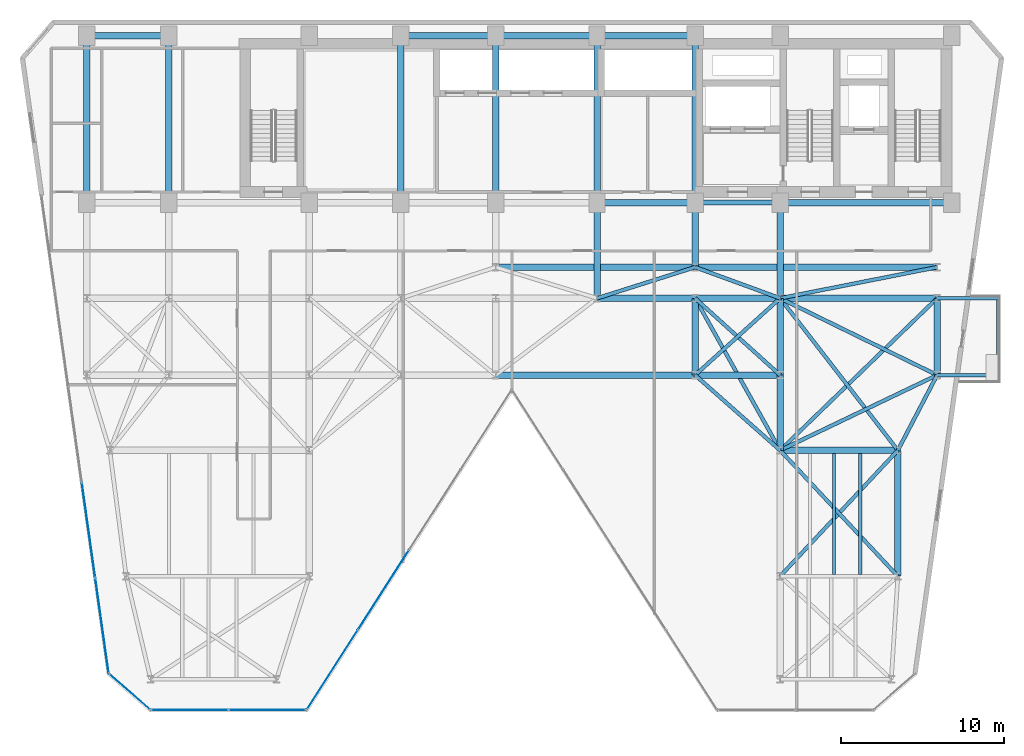
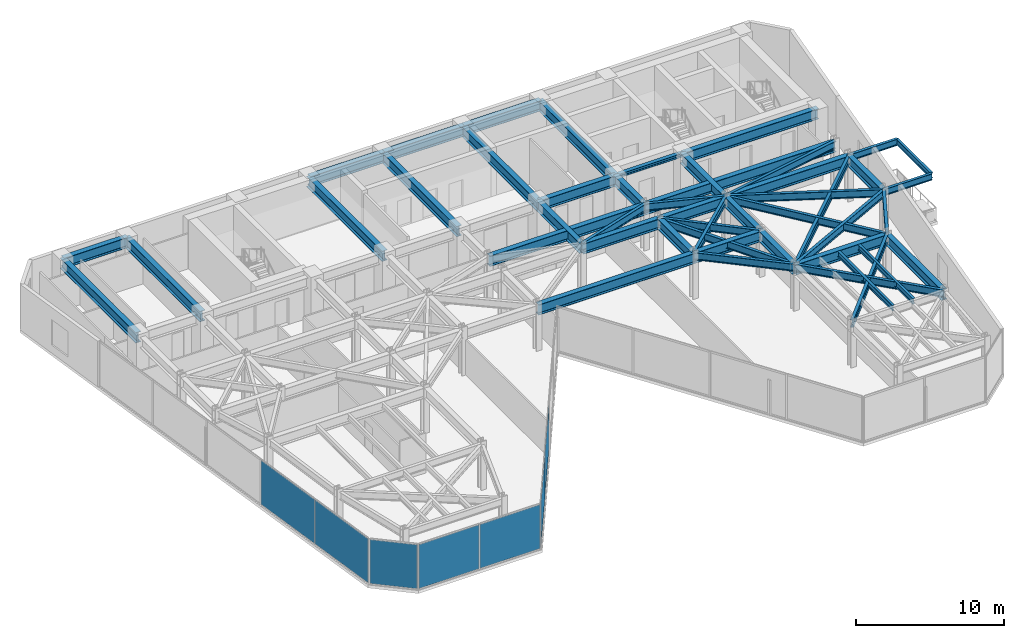
# One storey, part 20 of 26: 48 beams, 7 plates, 4 elements without a shape of their own.
"""IFC4 building model written with IfcOpenShell, lengths in metres."""

from ifc_helpers import new_model, si_unit, direction, frame, origin, origin_2d, place, context, subcontext, project, spatial, rectangle, i_section, extrude, material, layer, layer_set, material_profile, profile_set, type_object, element, aggregate, save


model = new_model("IFC4")

# Units and contexts
model_context = context("Model", 3, precision=1e-05, world=origin(), true_north=direction((0.0, 1.0)))
body_context = subcontext(model_context, "Body", "Model", "MODEL_VIEW")
ifc_project = project(units=[si_unit("LENGTHUNIT", "METRE"), si_unit("AREAUNIT", "SQUARE_METRE"), si_unit("VOLUMEUNIT", "CUBIC_METRE"), si_unit("PLANEANGLEUNIT", "RADIAN"), si_unit("MASSUNIT", "GRAM", prefix="KILO")], contexts=[model_context])

# Site, building, storey
site_placement = place(None, origin())
site = spatial("IfcSite", under=ifc_project, at=site_placement, CompositionType="ELEMENT")
building_placement = place(site_placement, origin())
building = spatial("IfcBuilding", under=site, at=building_placement, Name="Kravanh Interchange Tower", CompositionType="ELEMENT")
storey_placement = place(building_placement, frame((0.0, 0.0, 112.0)))
storey = spatial("IfcBuildingStorey", under=building, at=storey_placement, Name="L26", CompositionType="ELEMENT", Elevation=112.0)

# Beams
ifc_material_1 = material(Name="Structural Steel S355", Category="steel")
ifc_material_profile_1 = material_profile(ifc_material_1, i_section(OverallWidth=0.39990234375, OverallDepth=0.85595703125, WebThickness=0.018310546875, FlangeThickness=0.029296875, FilletRadius=0.02490234375, at=origin_2d()), Name="W33X201")
ifc_profile_set_1 = profile_set([ifc_material_profile_1], Name="Structural Steel S355")
beam_type_1 = type_object("IfcBeamType", Name="Floor Beam W33X201 Structural Steel S355", PredefinedType="BEAM", material=ifc_profile_set_1)
beam_1_placement = place(storey_placement, frame((66.5, 37.35009765625, 3.322021484375), z_axis=(-1.0, 0.0, 0.0), x_axis=(0.0, -1.0, 0.0)))
element("IfcBeam", 1, at=beam_1_placement, inside=storey, type_object=beam_type_1, Name="L26 Primary Floor Girder 5", PredefinedType="BEAM", context=body_context, shape_type="SweptSolid", body=[
    extrude(i_section(OverallWidth=0.39990234375, OverallDepth=0.85595703125, WebThickness=0.018310546875, FlangeThickness=0.029296875, FilletRadius=0.02490234375, at=origin_2d()), origin(), (0.0, 0.0, 1.0), 10.5),
])
beam_2_placement = place(storey_placement, frame((56.0, 37.35009765625, 3.322021484375), z_axis=(0.0, -1.0, 0.0), x_axis=(1.0, 0.0, 0.0)))
element("IfcBeam", 2, at=beam_2_placement, inside=storey, type_object=beam_type_1, Name="L26 Primary Floor Girder 7", PredefinedType="BEAM", context=body_context, shape_type="SweptSolid", body=[
    extrude(i_section(OverallWidth=0.39990234375, OverallDepth=0.85595703125, WebThickness=0.018310546875, FlangeThickness=0.029296875, FilletRadius=0.02490234375, at=origin_2d()), origin(), (0.0, 0.0, 1.0), 5.85009765625),
])
beam_3_placement = place(storey_placement, frame((50.800048828125, 47.550048828125, 3.322021484375), z_axis=(-1.0, 0.0, 0.0), x_axis=(0.0, -1.0, 0.0)))
element("IfcBeam", 3, at=beam_3_placement, inside=storey, type_object=beam_type_1, Name="L26 Primary Floor Girder 8", PredefinedType="BEAM", context=body_context, shape_type="SweptSolid", body=[
    extrude(i_section(OverallWidth=0.39990234375, OverallDepth=0.85595703125, WebThickness=0.018310546875, FlangeThickness=0.029296875, FilletRadius=0.02490234375, at=origin_2d()), origin(), (0.0, 0.0, 1.0), 6.0),
])
beam_4_placement = place(storey_placement, frame((50.800048828125, 47.550048828125, 3.322021484375), z_axis=(0.0, -1.0, 0.0), x_axis=(1.0, 0.0, 0.0)))
element("IfcBeam", 4, at=beam_4_placement, inside=storey, type_object=beam_type_1, Name="L26 Primary Floor Girder 9", PredefinedType="BEAM", context=body_context, shape_type="SweptSolid", body=[
    extrude(i_section(OverallWidth=0.39990234375, OverallDepth=0.85595703125, WebThickness=0.018310546875, FlangeThickness=0.029296875, FilletRadius=0.02490234375, at=origin_2d()), origin(), (0.0, 0.0, 1.0), 10.199951171875),
])
beam_5_placement = place(storey_placement, frame((50.800048828125, 37.35009765625, 3.322021484375), z_axis=(0.0, -1.0, 0.0), x_axis=(1.0, 0.0, 0.0)))
element("IfcBeam", 5, at=beam_5_placement, inside=storey, type_object=beam_type_1, Name="L26 Primary Floor Girder 10", PredefinedType="BEAM", context=body_context, shape_type="SweptSolid", body=[
    extrude(i_section(OverallWidth=0.39990234375, OverallDepth=0.85595703125, WebThickness=0.018310546875, FlangeThickness=0.029296875, FilletRadius=0.02490234375, at=origin_2d()), origin(), (0.0, 0.0, 1.0), 3.9501953125),
])
beam_6_placement = place(storey_placement, frame((50.800048828125, 37.35009765625, 3.322021484375), z_axis=(-1.0, 0.0, 0.0), x_axis=(0.0, -1.0, 0.0)))
element("IfcBeam", 6, at=beam_6_placement, inside=storey, type_object=beam_type_1, Name="L26 Primary Floor Girder 11", PredefinedType="BEAM", context=body_context, shape_type="SweptSolid", body=[
    extrude(i_section(OverallWidth=0.39990234375, OverallDepth=0.85595703125, WebThickness=0.018310546875, FlangeThickness=0.029296875, FilletRadius=0.02490234375, at=origin_2d()), origin(), (0.0, 0.0, 1.0), 6.0),
])
beam_7_placement = place(storey_placement, frame((44.800048828125, 37.35009765625, 3.322021484375), z_axis=(0.0, -1.0, 0.0), x_axis=(1.0, 0.0, 0.0)))
element("IfcBeam", 7, at=beam_7_placement, inside=storey, type_object=beam_type_1, Name="L26 Primary Floor Girder 12", PredefinedType="BEAM", context=body_context, shape_type="SweptSolid", body=[
    extrude(i_section(OverallWidth=0.39990234375, OverallDepth=0.85595703125, WebThickness=0.018310546875, FlangeThickness=0.029296875, FilletRadius=0.02490234375, at=origin_2d()), origin(), (0.0, 0.0, 1.0), 5.85009765625),
])
beam_8_placement = place(storey_placement, frame((44.800048828125, 37.35009765625, 3.322021484375), z_axis=(0.0, 1.0, 0.0), x_axis=(-1.0, 0.0, 0.0)))
element("IfcBeam", 8, at=beam_8_placement, inside=storey, type_object=beam_type_1, Name="L26 Primary Floor Girder 14", PredefinedType="BEAM", context=body_context, shape_type="SweptSolid", body=[
    extrude(i_section(OverallWidth=0.39990234375, OverallDepth=0.85595703125, WebThickness=0.018310546875, FlangeThickness=0.029296875, FilletRadius=0.02490234375, at=origin_2d()), origin(), (0.0, 0.0, 1.0), 10.199951171875),
])
beam_9_placement = place(storey_placement, frame((44.800048828125, 47.550048828125, 3.322021484375), z_axis=(-1.0, 0.0, 0.0), x_axis=(0.0, -1.0, 0.0)))
element("IfcBeam", 9, at=beam_9_placement, inside=storey, type_object=beam_type_1, Name="L26 Primary Floor Girder 15", PredefinedType="BEAM", context=body_context, shape_type="SweptSolid", body=[
    extrude(i_section(OverallWidth=0.39990234375, OverallDepth=0.85595703125, WebThickness=0.018310546875, FlangeThickness=0.029296875, FilletRadius=0.02490234375, at=origin_2d()), origin(), (0.0, 0.0, 1.0), 6.199951171875),
])
beam_10_placement = place(storey_placement, frame((38.60009765625, 37.35009765625, 3.322021484375), z_axis=(0.0, 1.0, 0.0), x_axis=(-1.0, 0.0, 0.0)))
element("IfcBeam", 10, at=beam_10_placement, inside=storey, type_object=beam_type_1, Name="L26 Primary Floor Girder 18", PredefinedType="BEAM", context=body_context, shape_type="SweptSolid", body=[
    extrude(i_section(OverallWidth=0.39990234375, OverallDepth=0.85595703125, WebThickness=0.018310546875, FlangeThickness=0.029296875, FilletRadius=0.02490234375, at=origin_2d()), origin(), (0.0, 0.0, 1.0), 10.199951171875),
])
beam_11_placement = place(storey_placement, frame((38.60009765625, 47.550048828125, 3.322021484375), z_axis=(-1.0, 0.0, 0.0), x_axis=(0.0, -1.0, 0.0)))
element("IfcBeam", 11, at=beam_11_placement, inside=storey, type_object=beam_type_1, Name="L26 Primary Floor Girder 19", PredefinedType="BEAM", context=body_context, shape_type="SweptSolid", body=[
    extrude(i_section(OverallWidth=0.39990234375, OverallDepth=0.85595703125, WebThickness=0.018310546875, FlangeThickness=0.029296875, FilletRadius=0.02490234375, at=origin_2d()), origin(), (0.0, 0.0, 1.0), 5.800048828125),
])
for number, where, z_axis, x_axis, name in (
    (12, (32.800048828125, 37.35009765625, 3.322021484375), (0.0, 1.0, 0.0), (-1.0, 0.0, 0.0), "L26 Primary Floor Girder 22"),
    (13, (18.60009765625, 37.35009765625, 3.322021484375), (0.0, 1.0, 0.0), (-1.0, 0.0, 0.0), "L26 Primary Floor Girder 30"),
):
    element("IfcBeam", number, at=place(storey_placement, frame(where, z_axis=z_axis, x_axis=x_axis)), inside=storey, type_object=beam_type_1, Name=name, PredefinedType="BEAM", context=body_context, shape_type="SweptSolid", body=[
        extrude(i_section(OverallWidth=0.39990234375, OverallDepth=0.85595703125, WebThickness=0.018310546875, FlangeThickness=0.029296875, FilletRadius=0.02490234375, at=origin_2d()), origin(), (0.0, 0.0, 1.0), 10.199951171875),
    ])
beam_12_placement = place(storey_placement, frame((18.60009765625, 47.550048828125, 3.322021484375), z_axis=(-1.0, 0.0, 0.0), x_axis=(0.0, -1.0, 0.0)))
element("IfcBeam", 14, at=beam_12_placement, inside=storey, type_object=beam_type_1, Name="L26 Primary Floor Girder 31", PredefinedType="BEAM", context=body_context, shape_type="SweptSolid", body=[
    extrude(i_section(OverallWidth=0.39990234375, OverallDepth=0.85595703125, WebThickness=0.018310546875, FlangeThickness=0.029296875, FilletRadius=0.02490234375, at=origin_2d()), origin(), (0.0, 0.0, 1.0), 5.0),
])
beam_13_placement = place(storey_placement, frame((13.60009765625, 37.35009765625, 3.322021484375), z_axis=(0.0, 1.0, 0.0), x_axis=(-1.0, 0.0, 0.0)))
element("IfcBeam", 15, at=beam_13_placement, inside=storey, type_object=beam_type_1, Name="L26 Primary Floor Girder 33", PredefinedType="BEAM", context=body_context, shape_type="SweptSolid", body=[
    extrude(i_section(OverallWidth=0.39990234375, OverallDepth=0.85595703125, WebThickness=0.018310546875, FlangeThickness=0.029296875, FilletRadius=0.02490234375, at=origin_2d()), origin(), (0.0, 0.0, 1.0), 10.199951171875),
])
beam_14_placement = place(storey_placement, frame((38.60009765625, 26.800048828125, 3.322021484375), z_axis=(1.0, 0.0, 0.0), x_axis=(0.0, 1.0, 0.0)))
element("IfcBeam", 16, at=beam_14_placement, inside=storey, type_object=beam_type_1, Name="L26 Primary Floor Girder 56", PredefinedType="BEAM", context=body_context, shape_type="SweptSolid", body=[
    extrude(i_section(OverallWidth=0.39990234375, OverallDepth=0.85595703125, WebThickness=0.018310546875, FlangeThickness=0.029296875, FilletRadius=0.02490234375, at=origin_2d()), origin(), (0.0, 0.0, 1.0), 12.199951171875),
])
beam_15_placement = place(storey_placement, frame((50.800048828125, 26.800048828125, 3.322021484375), z_axis=(0.0, 1.0, 0.0), x_axis=(-1.0, 0.0, 0.0)))
element("IfcBeam", 17, at=beam_15_placement, inside=storey, type_object=beam_type_1, Name="L26 Primary Floor Girder 57", PredefinedType="BEAM", context=body_context, shape_type="SweptSolid", body=[
    extrude(i_section(OverallWidth=0.39990234375, OverallDepth=0.85595703125, WebThickness=0.018310546875, FlangeThickness=0.029296875, FilletRadius=0.02490234375, at=origin_2d()), origin(), (0.0, 0.0, 1.0), 4.699951171875),
])
beam_16_placement = place(storey_placement, frame((50.800048828125, 26.800048828125, 3.322021484375), z_axis=(1.0, 0.0, 0.0), x_axis=(0.0, 1.0, 0.0)))
element("IfcBeam", 18, at=beam_16_placement, inside=storey, type_object=beam_type_1, Name="L26 Primary Floor Girder 58", PredefinedType="BEAM", context=body_context, shape_type="SweptSolid", body=[
    extrude(i_section(OverallWidth=0.39990234375, OverallDepth=0.85595703125, WebThickness=0.018310546875, FlangeThickness=0.029296875, FilletRadius=0.02490234375, at=origin_2d()), origin(), (0.0, 0.0, 1.0), 5.199951171875),
])
beam_17_placement = place(storey_placement, frame((56.0, 26.800048828125, 3.322021484375), z_axis=(0.0, -1.0, 0.0), x_axis=(1.0, 0.0, 0.0)))
element("IfcBeam", 19, at=beam_17_placement, inside=storey, type_object=beam_type_1, Name="L26 Primary Floor Girder 61", PredefinedType="BEAM", context=body_context, shape_type="SweptSolid", body=[
    extrude(i_section(OverallWidth=0.39990234375, OverallDepth=0.85595703125, WebThickness=0.018310546875, FlangeThickness=0.029296875, FilletRadius=0.02490234375, at=origin_2d()), origin(), (0.0, 0.0, 1.0), 4.60009765625),
])
for number, where, z_axis, x_axis, name in (
    (20, (56.0, 26.800048828125, 3.322021484375), (0.0, 1.0, 0.0), (-1.0, 0.0, 0.0), "L26 Primary Floor Girder 62"),
    (21, (65.60009765625, 26.800048828125, 3.322021484375), (0.0, 1.0, 0.0), (-1.0, 0.0, 0.0), "L26 Primary Floor Girder 65"),
):
    element("IfcBeam", number, at=place(storey_placement, frame(where, z_axis=z_axis, x_axis=x_axis)), inside=storey, type_object=beam_type_1, Name=name, PredefinedType="BEAM", context=body_context, shape_type="SweptSolid", body=[
        extrude(i_section(OverallWidth=0.39990234375, OverallDepth=0.85595703125, WebThickness=0.018310546875, FlangeThickness=0.029296875, FilletRadius=0.02490234375, at=origin_2d()), origin(), (0.0, 0.0, 1.0), 4.699951171875),
    ])
beam_18_placement = place(storey_placement, frame((44.800048828125, 31.5, 3.322021484375), z_axis=(1.0, 0.0, 0.0), x_axis=(0.0, 1.0, 0.0)))
element("IfcBeam", 22, at=beam_18_placement, inside=storey, type_object=beam_type_1, Name="L26 Primary Floor Girder 83", PredefinedType="BEAM", context=body_context, shape_type="SweptSolid", body=[
    extrude(i_section(OverallWidth=0.39990234375, OverallDepth=0.85595703125, WebThickness=0.018310546875, FlangeThickness=0.029296875, FilletRadius=0.02490234375, at=origin_2d()), origin(), (0.0, 0.0, 1.0), 6.0),
])
beam_19_placement = place(storey_placement, frame((50.800048828125, 31.5, 3.322021484375), z_axis=(1.0, 0.0, 0.0), x_axis=(0.0, 1.0, 0.0)))
element("IfcBeam", 23, at=beam_19_placement, inside=storey, type_object=beam_type_1, Name="L26 Primary Floor Girder 86", PredefinedType="BEAM", context=body_context, shape_type="SweptSolid", body=[
    extrude(i_section(OverallWidth=0.39990234375, OverallDepth=0.85595703125, WebThickness=0.018310546875, FlangeThickness=0.029296875, FilletRadius=0.02490234375, at=origin_2d()), origin(), (0.0, 0.0, 1.0), 5.199951171875),
])
beam_20_placement = place(storey_placement, frame((56.0, 31.5, 3.322021484375), z_axis=(1.0, 0.0, 0.0), x_axis=(0.0, 1.0, 0.0)))
element("IfcBeam", 24, at=beam_20_placement, inside=storey, type_object=beam_type_1, Name="L26 Primary Floor Girder 90", PredefinedType="BEAM", context=body_context, shape_type="SweptSolid", body=[
    extrude(i_section(OverallWidth=0.39990234375, OverallDepth=0.85595703125, WebThickness=0.018310546875, FlangeThickness=0.029296875, FilletRadius=0.02490234375, at=origin_2d()), origin(), (0.0, 0.0, 1.0), 9.60009765625),
])
beam_21_placement = place(storey_placement, frame((63.199951171875, 14.5, 3.322021484375), z_axis=(0.0, 1.0, 0.0), x_axis=(-1.0, 0.0, 0.0)))
element("IfcBeam", 25, at=beam_21_placement, inside=storey, type_object=beam_type_1, Name="L26 Primary Floor Girder 106", PredefinedType="BEAM", context=body_context, shape_type="SweptSolid", body=[
    extrude(i_section(OverallWidth=0.39990234375, OverallDepth=0.85595703125, WebThickness=0.018310546875, FlangeThickness=0.029296875, FilletRadius=0.02490234375, at=origin_2d()), origin(), (0.0, 0.0, 1.0), 7.699951171875),
])
beam_22_placement = place(storey_placement, frame((56.0, 22.199951171875, 3.322021484375), z_axis=(1.0, 0.0, 0.0), x_axis=(0.0, 1.0, 0.0)))
element("IfcBeam", 26, at=beam_22_placement, inside=storey, type_object=beam_type_1, Name="L26 Primary Floor Girder 109", PredefinedType="BEAM", context=body_context, shape_type="SweptSolid", body=[
    extrude(i_section(OverallWidth=0.39990234375, OverallDepth=0.85595703125, WebThickness=0.018310546875, FlangeThickness=0.029296875, FilletRadius=0.02490234375, at=origin_2d()), origin(), (0.0, 0.0, 1.0), 7.199951171875),
])
beam_23_placement = place(storey_placement, frame((38.60009765625, 33.39990234375, 3.322021484375), z_axis=(1.0, 0.0, 0.0), x_axis=(0.0, 1.0, 0.0)))
element("IfcBeam", 27, at=beam_23_placement, inside=storey, type_object=beam_type_1, Name="L26 Primary Floor Girder 111", PredefinedType="BEAM", context=body_context, shape_type="SweptSolid", body=[
    extrude(i_section(OverallWidth=0.39990234375, OverallDepth=0.85595703125, WebThickness=0.018310546875, FlangeThickness=0.029296875, FilletRadius=0.02490234375, at=origin_2d()), origin(), (0.0, 0.0, 1.0), 12.199951171875),
])
beam_24_placement = place(storey_placement, frame((50.800048828125, 33.39990234375, 3.322021484375), z_axis=(1.0, 0.0, 0.0), x_axis=(0.0, 1.0, 0.0)))
element("IfcBeam", 28, at=beam_24_placement, inside=storey, type_object=beam_type_1, Name="L26 Primary Floor Girder 112", PredefinedType="BEAM", context=body_context, shape_type="SweptSolid", body=[
    extrude(i_section(OverallWidth=0.39990234375, OverallDepth=0.85595703125, WebThickness=0.018310546875, FlangeThickness=0.029296875, FilletRadius=0.02490234375, at=origin_2d()), origin(), (0.0, 0.0, 1.0), 14.800048828125),
])
ifc_material_2 = material(Name="Structural Steel S355", Category="steel")
ifc_material_profile_2 = material_profile(ifc_material_2, i_section(OverallWidth=0.18994140625, OverallDepth=0.45703125, WebThickness=0.009033203125, FlangeThickness=0.014404296875, FilletRadius=0.01806640625, at=origin_2d()), Name="W18X50")
ifc_profile_set_2 = profile_set([ifc_material_profile_2], Name="Structural Steel S355")
beam_type_2 = type_object("IfcBeamType", Name="Floor Joist W18X50 Structural Steel S355", PredefinedType="JOIST", material=ifc_profile_set_2)
for number, where, z_axis, x_axis, name in (
    (29, (59.304931640625, 14.60888671875, 3.521484375), (0.0, 1.0, 0.0), (-1.0, 0.0, 0.0), "L26 Secondary Floor Joist 11"),
    (30, (60.89794921875, 14.60888671875, 3.521484375), (0.0, 1.0, 0.0), (-1.0, 0.0, 0.0), "L26 Secondary Floor Joist 12"),
):
    element("IfcBeam", number, at=place(storey_placement, frame(where, z_axis=z_axis, x_axis=x_axis)), inside=storey, type_object=beam_type_2, Name=name, PredefinedType="JOIST", context=body_context, shape_type="SweptSolid", body=[
        extrude(i_section(OverallWidth=0.18994140625, OverallDepth=0.45703125, WebThickness=0.009033203125, FlangeThickness=0.014404296875, FilletRadius=0.01806640625, at=origin_2d()), origin(), (0.0, 0.0, 1.0), 7.39599609375),
    ])
beam_25_placement = place(storey_placement, frame((69.330078125, 26.800048828125, 3.521484375), z_axis=(0.0, 1.0, 0.0), x_axis=(-1.0, 0.0, 0.0)))
element("IfcBeam", 31, at=beam_25_placement, inside=storey, type_object=beam_type_2, Name="L26 Balcony Edge Tie Beam E", PredefinedType="JOIST", context=body_context, shape_type="SweptSolid", body=[
    extrude(i_section(OverallWidth=0.18994140625, OverallDepth=0.45703125, WebThickness=0.009033203125, FlangeThickness=0.014404296875, FilletRadius=0.01806640625, at=origin_2d()), origin(), (0.0, 0.0, 1.0), 4.699951171875),
])
ifc_material_3 = material(Name="Structural Steel S355", Category="steel")
ifc_material_profile_3 = material_profile(ifc_material_3, i_section(OverallWidth=0.304931640625, OverallDepth=0.306884765625, WebThickness=0.010009765625, FlangeThickness=0.015380859375, FilletRadius=0.014892578125, at=origin_2d()), Name="W12X65")
ifc_profile_set_3 = profile_set([ifc_material_profile_3], Name="Structural Steel S355")
beam_type_3 = type_object("IfcBeamType", Name="Floor Lintel W12X65 Structural Steel S355", PredefinedType="LINTEL", material=ifc_profile_set_3)
beam_26_placement = place(storey_placement, frame((50.800048828125, 37.35009765625, 3.596435546875), z_axis=(1.0, 0.0, 0.0), x_axis=(0.0, 1.0, 0.0)))
element("IfcBeam", 32, at=beam_26_placement, inside=storey, type_object=beam_type_3, Name="L26 Core Coupling Lintel 1", PredefinedType="LINTEL", context=body_context, shape_type="SweptSolid", body=[
    extrude(i_section(OverallWidth=0.304931640625, OverallDepth=0.306884765625, WebThickness=0.010009765625, FlangeThickness=0.015380859375, FilletRadius=0.014892578125, at=origin_2d()), origin(), (0.0, 0.0, 1.0), 5.199951171875),
])
ifc_material_4 = material(Name="Structural Steel S355", Category="steel")
ifc_material_profile_4 = material_profile(ifc_material_4, i_section(OverallWidth=0.2099609375, OverallDepth=0.537109375, WebThickness=0.010986328125, FlangeThickness=0.017333984375, FilletRadius=0.02001953125, at=origin_2d()), Name="W21X68")
ifc_profile_set_4 = profile_set([ifc_material_profile_4], Name="Structural Steel S355")
beam_type_4 = type_object("IfcBeamType", Name="Floor Spandrel W21X68 Structural Steel S355", PredefinedType="SPANDREL", material=ifc_profile_set_4)
for number, where, z_axis, x_axis, name in (
    (33, (65.60009765625, 26.800048828125, 3.4814453125), (1.0, 0.0, 0.0), (0.0, 1.0, 0.0), "L26 Balcony Cantilever Outrigger E1"),
    (34, (65.60009765625, 31.5, 3.4814453125), (1.0, 0.0, 0.0), (0.0, 1.0, 0.0), "L26 Balcony Cantilever Outrigger E2"),
):
    element("IfcBeam", number, at=place(storey_placement, frame(where, z_axis=z_axis, x_axis=x_axis)), inside=storey, type_object=beam_type_4, Name=name, PredefinedType="SPANDREL", context=body_context, shape_type="SweptSolid", body=[
        extrude(i_section(OverallWidth=0.2099609375, OverallDepth=0.537109375, WebThickness=0.010986328125, FlangeThickness=0.017333984375, FilletRadius=0.02001953125, at=origin_2d()), origin(), (0.0, 0.0, 1.0), 3.72998046875),
    ])
ifc_material_5 = material(Name="Structural Steel S355", Category="steel")
ifc_material_profile_5 = material_profile(ifc_material_5, i_section(OverallWidth=0.22802734375, OverallDepth=0.60791015625, WebThickness=0.01123046875, FlangeThickness=0.017333984375, FilletRadius=0.02197265625, at=origin_2d()), Name="W24X76")
ifc_profile_set_5 = profile_set([ifc_material_profile_5], Name="Structural Steel S355")
beam_type_5 = type_object("IfcBeamType", Name="Floor Spandrel W24X76 Structural Steel S355", PredefinedType="SPANDREL", material=ifc_profile_set_5)
beam_27_placement = place(storey_placement, frame((50.800048828125, 26.800048828125, 3.446044921875), z_axis=(0.74898649432, -0.662585263439, 0.0), x_axis=(0.662585263439, 0.74898649432, 0.0)))
element("IfcBeam", 35, at=beam_27_placement, inside=storey, type_object=beam_type_5, Name="L26 Perimeter Spandrel 59", PredefinedType="SPANDREL", context=body_context, shape_type="SweptSolid", body=[
    extrude(i_section(OverallWidth=0.22802734375, OverallDepth=0.60791015625, WebThickness=0.01123046875, FlangeThickness=0.017333984375, FilletRadius=0.02197265625, at=origin_2d()), origin(), (0.0, 0.0, 1.0), 6.942626953125),
])
for number, where, z_axis, x_axis, name in (
    (36, (50.800048828125, 26.800048828125, 3.446044921875), (0.741874009795, 0.670539300557, 0.0), (-0.670539300557, 0.741874009795, 0.0), "L26 Perimeter Spandrel 60"),
    (37, (56.0, 26.800048828125, 3.446044921875), (-0.741874009795, 0.670539300557, 0.0), (-0.670539300557, -0.741874009795, 0.0), "L26 Perimeter Spandrel 63"),
):
    element("IfcBeam", number, at=place(storey_placement, frame(where, z_axis=z_axis, x_axis=x_axis)), inside=storey, type_object=beam_type_5, Name=name, PredefinedType="SPANDREL", context=body_context, shape_type="SweptSolid", body=[
        extrude(i_section(OverallWidth=0.22802734375, OverallDepth=0.60791015625, WebThickness=0.01123046875, FlangeThickness=0.017333984375, FilletRadius=0.02197265625, at=origin_2d()), origin(), (0.0, 0.0, 1.0), 7.00927734375),
    ])
beam_28_placement = place(storey_placement, frame((65.60009765625, 26.800048828125, 3.446044921875), z_axis=(-0.462580479178, -0.886577295155, 0.0), x_axis=(0.886577295155, -0.462580479178, 0.0)))
element("IfcBeam", 38, at=beam_28_placement, inside=storey, type_object=beam_type_5, Name="L26 Perimeter Spandrel 66", PredefinedType="SPANDREL", context=body_context, shape_type="SweptSolid", body=[
    extrude(i_section(OverallWidth=0.22802734375, OverallDepth=0.60791015625, WebThickness=0.01123046875, FlangeThickness=0.017333984375, FilletRadius=0.02197265625, at=origin_2d()), origin(), (0.0, 0.0, 1.0), 5.188720703125),
])
beam_29_placement = place(storey_placement, frame((65.60009765625, 26.800048828125, 3.446044921875), z_axis=(-0.901814166789, -0.432124066188, 0.0), x_axis=(0.432124066188, -0.901814166789, 0.0)))
element("IfcBeam", 39, at=beam_29_placement, inside=storey, type_object=beam_type_5, Name="L26 Perimeter Spandrel 67", PredefinedType="SPANDREL", context=body_context, shape_type="SweptSolid", body=[
    extrude(i_section(OverallWidth=0.22802734375, OverallDepth=0.60791015625, WebThickness=0.01123046875, FlangeThickness=0.017333984375, FilletRadius=0.02197265625, at=origin_2d()), origin(), (0.0, 0.0, 1.0), 10.645263671875),
])
beam_30_placement = place(storey_placement, frame((65.60009765625, 26.800048828125, 3.446044921875), z_axis=(-0.898141688387, 0.439706160499, 0.0), x_axis=(-0.439706160499, -0.898141688387, 0.0)))
element("IfcBeam", 40, at=beam_30_placement, inside=storey, type_object=beam_type_5, Name="L26 Perimeter Spandrel 68", PredefinedType="SPANDREL", context=body_context, shape_type="SweptSolid", body=[
    extrude(i_section(OverallWidth=0.22802734375, OverallDepth=0.60791015625, WebThickness=0.01123046875, FlangeThickness=0.017333984375, FilletRadius=0.02197265625, at=origin_2d()), origin(), (0.0, 0.0, 1.0), 10.68896484375),
])
beam_31_placement = place(storey_placement, frame((44.800048828125, 31.5, 3.446044921875), z_axis=(0.953346691051, 0.301877602122, 0.0), x_axis=(-0.301877602122, 0.953346691051, 0.0)))
element("IfcBeam", 41, at=beam_31_placement, inside=storey, type_object=beam_type_5, Name="L26 Perimeter Spandrel 84", PredefinedType="SPANDREL", context=body_context, shape_type="SweptSolid", body=[
    extrude(i_section(OverallWidth=0.22802734375, OverallDepth=0.60791015625, WebThickness=0.01123046875, FlangeThickness=0.017333984375, FilletRadius=0.02197265625, at=origin_2d()), origin(), (0.0, 0.0, 1.0), 6.293701171875),
])
beam_32_placement = place(storey_placement, frame((50.800048828125, 31.5, 3.446044921875), z_axis=(0.488026248114, -0.872828952975, 0.0), x_axis=(0.872828952975, 0.488026248114, 0.0)))
element("IfcBeam", 42, at=beam_32_placement, inside=storey, type_object=beam_type_5, Name="L26 Perimeter Spandrel 87", PredefinedType="SPANDREL", context=body_context, shape_type="SweptSolid", body=[
    extrude(i_section(OverallWidth=0.22802734375, OverallDepth=0.60791015625, WebThickness=0.01123046875, FlangeThickness=0.017333984375, FilletRadius=0.02197265625, at=origin_2d()), origin(), (0.0, 0.0, 1.0), 10.655029296875),
])
beam_33_placement = place(storey_placement, frame((56.0, 31.5, 3.446044921875), z_axis=(-0.93926957103, 0.343180233896, 0.0), x_axis=(-0.343180233896, -0.93926957103, 0.0)))
element("IfcBeam", 43, at=beam_33_placement, inside=storey, type_object=beam_type_5, Name="L26 Perimeter Spandrel 89", PredefinedType="SPANDREL", context=body_context, shape_type="SweptSolid", body=[
    extrude(i_section(OverallWidth=0.22802734375, OverallDepth=0.60791015625, WebThickness=0.01123046875, FlangeThickness=0.017333984375, FilletRadius=0.02197265625, at=origin_2d()), origin(), (0.0, 0.0, 1.0), 5.5361328125),
])
beam_34_placement = place(storey_placement, frame((56.0, 31.5, 3.446044921875), z_axis=(0.980974000807, 0.194139150457, 0.0), x_axis=(-0.194139150457, 0.980974000807, 0.0)))
element("IfcBeam", 44, at=beam_34_placement, inside=storey, type_object=beam_type_5, Name="L26 Perimeter Spandrel 91", PredefinedType="SPANDREL", context=body_context, shape_type="SweptSolid", body=[
    extrude(i_section(OverallWidth=0.22802734375, OverallDepth=0.60791015625, WebThickness=0.01123046875, FlangeThickness=0.017333984375, FilletRadius=0.02197265625, at=origin_2d()), origin(), (0.0, 0.0, 1.0), 9.786376953125),
])
beam_35_placement = place(storey_placement, frame((56.0, 31.5, 3.446044921875), z_axis=(0.612168587637, -0.790727273028, 0.0), x_axis=(0.790727273028, 0.612168587637, 0.0)))
element("IfcBeam", 45, at=beam_35_placement, inside=storey, type_object=beam_type_5, Name="L26 Perimeter Spandrel 92", PredefinedType="SPANDREL", context=body_context, shape_type="SweptSolid", body=[
    extrude(i_section(OverallWidth=0.22802734375, OverallDepth=0.60791015625, WebThickness=0.01123046875, FlangeThickness=0.017333984375, FilletRadius=0.02197265625, at=origin_2d()), origin(), (0.0, 0.0, 1.0), 11.761474609375),
])
beam_36_placement = place(storey_placement, frame((65.60009765625, 31.5, 3.446044921875), z_axis=(-0.718241934329, -0.695793449072, 0.0), x_axis=(0.695793449072, -0.718241934329, 0.0)))
element("IfcBeam", 46, at=beam_36_placement, inside=storey, type_object=beam_type_5, Name="L26 Perimeter Spandrel 94", PredefinedType="SPANDREL", context=body_context, shape_type="SweptSolid", body=[
    extrude(i_section(OverallWidth=0.22802734375, OverallDepth=0.60791015625, WebThickness=0.01123046875, FlangeThickness=0.017333984375, FilletRadius=0.02197265625, at=origin_2d()), origin(), (0.0, 0.0, 1.0), 13.3662109375),
])
for number, where, z_axis, x_axis, name in (
    (47, (56.0, 14.5, 3.446044921875), (0.682993762113, 0.73042420614, 0.0), (-0.73042420614, 0.682993762113, 0.0), "L26 Perimeter Spandrel 105"),
    (48, (63.199951171875, 14.5, 3.446044921875), (-0.682993762113, 0.73042420614, 0.0), (-0.73042420614, -0.682993762113, 0.0), "L26 Perimeter Spandrel 107"),
):
    element("IfcBeam", number, at=place(storey_placement, frame(where, z_axis=z_axis, x_axis=x_axis)), inside=storey, type_object=beam_type_5, Name=name, PredefinedType="SPANDREL", context=body_context, shape_type="SweptSolid", body=[
        extrude(i_section(OverallWidth=0.22802734375, OverallDepth=0.60791015625, WebThickness=0.01123046875, FlangeThickness=0.017333984375, FilletRadius=0.02197265625, at=origin_2d()), origin(), (0.0, 0.0, 1.0), 10.541748046875),
    ])

# Curtain wall, plates
ifc_material_6 = material(Name="Anodised Bronze Aluminium", Category="aluminium")
ifc_layer_1 = layer(ifc_material_6, 0.179931640625)
ifc_layer_set_1 = layer_set([ifc_layer_1], Name="Unitised Curtain Wall System CW-Z2 Mid Office")
curtain_wall_type = type_object("IfcCurtainWallType", Name="Unitised Curtain Wall System CW-Z2 Mid Office", PredefinedType="NOTDEFINED", material=ifc_layer_set_1)
curtain_wall_1_placement = place(storey_placement, origin())
curtain_wall_1 = element("IfcCurtainWall", 49, at=curtain_wall_1_placement, inside=storey, type_object=curtain_wall_type, Name="L26 Unitised Curtain Wall CW-L26-01", PredefinedType="NOTDEFINED")
ifc_material_7 = material(Name="Low-E Laminated Architectural Glass", Category="glass")
ifc_layer_2 = layer(ifc_material_7, 0.02587890625)
ifc_layer_set_2 = layer_set([ifc_layer_2], Name="Solar-Control Double Glazing 26mm")
plate_type = type_object("IfcPlateType", Name="Solar-Control Double Glazing 26mm", PredefinedType="CURTAIN_PANEL", material=ifc_layer_set_2)
plate_1_placement = place(storey_placement, frame((14.524169921875, 11.479736328125, 0.06005859375), z_axis=(0.0, 0.0, 1.0), x_axis=(-0.13917285118, 0.990268103846, 0.0)))
plate_1 = element("IfcPlate", 50, at=plate_1_placement, type_object=plate_type, Name="CW-Z2 panel 1.1", PredefinedType="CURTAIN_PANEL", context=body_context, shape_type="SweptSolid", body=[
    extrude(rectangle(XDim=5.81982421875, YDim=0.02587890625, at=origin_2d()), origin(), (0.0, 0.0, 1.0), 3.6298828125),
])
plate_2_placement = place(storey_placement, frame((13.70361328125, 17.317138671875, 0.06005859375), z_axis=(0.0, 0.0, 1.0), x_axis=(-0.13917285118, 0.990268103846, 0.0)))
plate_2 = element("IfcPlate", 51, at=plate_2_placement, type_object=plate_type, Name="CW-Z2 panel 2.1", PredefinedType="CURTAIN_PANEL", context=body_context, shape_type="SweptSolid", body=[
    extrude(rectangle(XDim=5.849853515625, YDim=0.02587890625, at=origin_2d()), origin(), (0.0, 0.0, 1.0), 3.6298828125),
])
aggregate(curtain_wall_1, [plate_1, plate_2])

curtain_wall_2_placement = place(storey_placement, origin())
curtain_wall_2 = element("IfcCurtainWall", 52, at=curtain_wall_2_placement, inside=storey, type_object=curtain_wall_type, Name="L26 Unitised Curtain Wall CW-L26-05", PredefinedType="NOTDEFINED")
plate_3_placement = place(storey_placement, frame((31.74658203125, 13.6708984375, 0.06005859375), z_axis=(0.0, 0.0, 1.0), x_axis=(-0.539664865919, -0.841879939476, 0.0)))
plate_3 = element("IfcPlate", 53, at=plate_3_placement, type_object=plate_type, Name="CW-Z2 panel 3.1", PredefinedType="CURTAIN_PANEL", context=body_context, shape_type="SweptSolid", body=[
    extrude(rectangle(XDim=5.760986328125, YDim=0.02587890625, at=origin_2d()), origin(), (0.0, 0.0, 1.0), 3.6298828125),
])
plate_4_placement = place(storey_placement, frame((28.61328125, 8.782958984375, 0.06005859375), z_axis=(0.0, 0.0, 1.0), x_axis=(-0.539664865919, -0.841879939476, 0.0)))
plate_4 = element("IfcPlate", 54, at=plate_4_placement, type_object=plate_type, Name="CW-Z2 panel 4.1", PredefinedType="CURTAIN_PANEL", context=body_context, shape_type="SweptSolid", body=[
    extrude(rectangle(XDim=5.73095703125, YDim=0.02587890625, at=origin_2d()), origin(), (0.0, 0.0, 1.0), 3.6298828125),
])
aggregate(curtain_wall_2, [plate_3, plate_4])

curtain_wall_3_placement = place(storey_placement, origin())
curtain_wall_3 = element("IfcCurtainWall", 55, at=curtain_wall_3_placement, inside=storey, type_object=curtain_wall_type, Name="L26 Unitised Curtain Wall CW-L26-06", PredefinedType="NOTDEFINED")
plate_5_placement = place(storey_placement, frame((24.63330078125, 6.320068359375, 0.06005859375), z_axis=(0.0, 0.0, 1.0), x_axis=(-1.0, 0.0, 0.0)))
plate_5 = element("IfcPlate", 56, at=plate_5_placement, type_object=plate_type, Name="CW-Z2 panel 1.1", PredefinedType="CURTAIN_PANEL", context=body_context, shape_type="SweptSolid", body=[
    extrude(rectangle(XDim=4.682373046875, YDim=0.02587890625, at=origin_2d()), origin(), (0.0, 0.0, 1.0), 3.6298828125),
])
plate_6_placement = place(storey_placement, frame((19.890869140625, 6.320068359375, 0.06005859375), z_axis=(0.0, 0.0, 1.0), x_axis=(-1.0, 0.0, 0.0)))
plate_6 = element("IfcPlate", 57, at=plate_6_placement, type_object=plate_type, Name="CW-Z2 panel 2.1", PredefinedType="CURTAIN_PANEL", context=body_context, shape_type="SweptSolid", body=[
    extrude(rectangle(XDim=4.682373046875, YDim=0.02587890625, at=origin_2d()), origin(), (0.0, 0.0, 1.0), 3.6298828125),
])
aggregate(curtain_wall_3, [plate_5, plate_6])

# Curtain wall, plate
curtain_wall_4_placement = place(storey_placement, origin())
curtain_wall_4 = element("IfcCurtainWall", 58, at=curtain_wall_4_placement, inside=storey, type_object=curtain_wall_type, Name="L26 Unitised Curtain Wall CW-L26-07", PredefinedType="NOTDEFINED")
plate_7_placement = place(storey_placement, frame((16.213623046875, 7.429443359375, 0.06005859375), z_axis=(0.0, 0.0, 1.0), x_axis=(-0.754719458103, 0.656047665617, 0.0)))
plate_7 = element("IfcPlate", 59, at=plate_7_placement, type_object=plate_type, Name="CW-Z2 panel 1.1", PredefinedType="CURTAIN_PANEL", context=body_context, shape_type="SweptSolid", body=[
    extrude(rectangle(XDim=3.261962890625, YDim=0.02587890625, at=origin_2d()), origin(), (0.0, 0.0, 1.0), 3.6298828125),
])
aggregate(curtain_wall_4, [plate_7])

save(model, "model.ifc")
